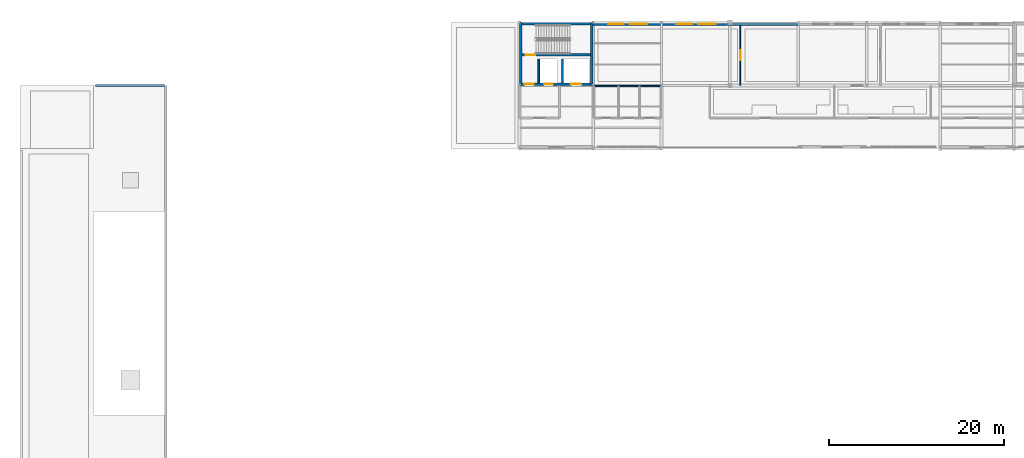
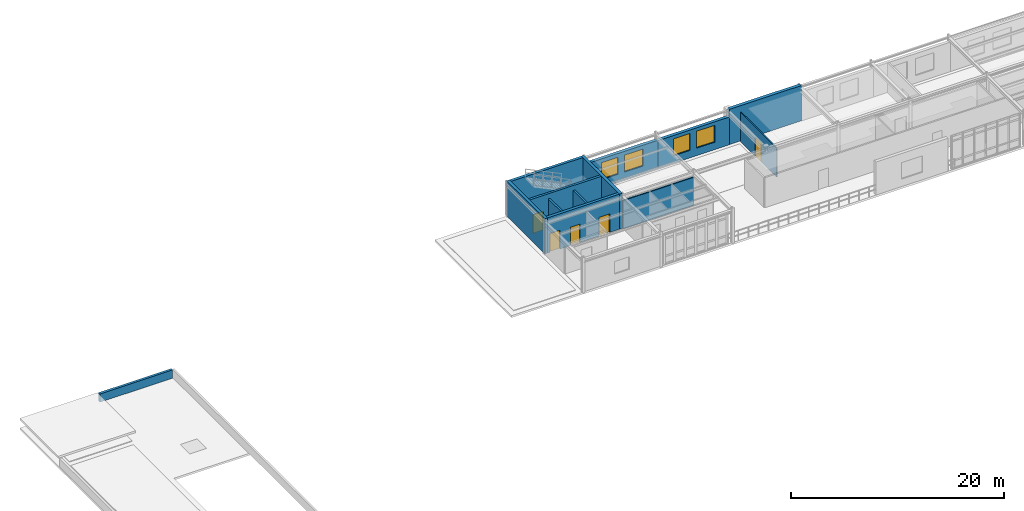
# One storey, part 14 of 20: 13 walls, 5 doors, 4 windows, 9 openings.
"""IFC4 building model written with IfcOpenShell, lengths in metres."""

from ifc_helpers import new_model, si_unit, derived_unit, direction, frame, frame_2d, origin, place, context, subcontext, project, spatial, rectangle, extrude, material, layer, layer_set, type_object, element, fill, save


model = new_model("IFC4")

# Units and contexts
model_context = context("Model", 3, precision=1e-05, world=origin(), true_north=direction((0.0, 1.0)))
body_context = subcontext(model_context, "Body", "Model", "MODEL_VIEW")
ifc_project = project(units=[si_unit("LENGTHUNIT", "METRE"), si_unit("AREAUNIT", "SQUARE_METRE"), si_unit("VOLUMEUNIT", "CUBIC_METRE"), si_unit("PLANEANGLEUNIT", "RADIAN"), si_unit("MASSUNIT", "GRAM", prefix="KILO"), derived_unit("THERMALTRANSMITTANCEUNIT", [(si_unit("POWERUNIT", "WATT"), 1), (si_unit("AREAUNIT", "SQUARE_METRE"), -1), (si_unit("THERMODYNAMICTEMPERATUREUNIT", "KELVIN"), -1)])], contexts=[model_context])

# Site, building, storey
site_placement = place(None, origin())
site = spatial("IfcSite", under=ifc_project, at=site_placement, CompositionType="ELEMENT")
building_placement = place(site_placement, origin())
building = spatial("IfcBuilding", under=site, at=building_placement, Name="Yasenodar Specialist Clinic", CompositionType="ELEMENT")
storey_placement = place(building_placement, frame((0.0, 0.0, 25.35009765625)))
storey = spatial("IfcBuildingStorey", under=building, at=storey_placement, Name="L06", CompositionType="ELEMENT", Elevation=25.35009765625)

# Wall, openings, windows
ifc_material_1 = material(Name="Buff Architectural Terracotta Rainscreen", Category="masonry")
ifc_layer_1 = layer(ifc_material_1, 0.340087890625)
ifc_layer_set_1 = layer_set([ifc_layer_1], Name="Buff Architectural Terracotta Rainscreen")
wall_type_1 = type_object("IfcWallType", Name="EW-TERR-340", PredefinedType="SOLIDWALL", material=ifc_layer_set_1)
wall_1_placement = place(storey_placement, frame((65.39990234375, 111.39990234375, 0.0), z_axis=(0.0, 0.0, 1.0), x_axis=(1.0, 0.0, 0.0)))
wall_1 = element("IfcWall", 1, at=wall_1_placement, inside=storey, type_object=wall_type_1, Name="L06 Exterior Facade Wall 0190", PredefinedType="SOLIDWALL", context=body_context, shape_type="SweptSolid", body=[
    extrude(rectangle(XDim=7.800048828125, YDim=0.340087890625, at=frame_2d((3.89990234375, 0.0))), origin(), (0.0, 0.0, 1.0), 3.23779296875),
])
opening_1_placement = place(wall_1_placement, frame((1.699951171875, 0.0, 0.85009765625)))
opening_1 = element("IfcOpeningElement", 2, at=opening_1_placement, cuts=wall_1, Name="Opening W-05", PredefinedType="OPENING", context=body_context, shape_type="SweptSolid", body=[
    extrude(rectangle(XDim=1.800048828125, YDim=1.949951171875, at=frame_2d((0.89990234375, 0.97509765625))), frame((0.0, 0.18017578125, 0.0), z_axis=(0.0, -1.0, 0.0), x_axis=(1.0, 0.0, 0.0)), (0.0, 0.0, 1.0), 0.360107421875),
])
opening_2_placement = place(wall_1_placement, frame((4.199951171875, 0.0, 0.85009765625)))
opening_2 = element("IfcOpeningElement", 3, at=opening_2_placement, cuts=wall_1, Name="Opening W-06", PredefinedType="OPENING", context=body_context, shape_type="SweptSolid", body=[
    extrude(rectangle(XDim=2.0, YDim=1.949951171875, at=frame_2d((1.0, 0.97509765625))), frame((0.0, 0.18017578125, 0.0), z_axis=(0.0, -1.0, 0.0), x_axis=(1.0, 0.0, 0.0)), (0.0, 0.0, 1.0), 0.360107421875),
])
ifc_material_2 = material(Name="Triple Low-E Argon Glazing in Bronze Aluminium Frame", Category="aluminium")
window_type_1 = type_object("IfcWindowType", Name="WIN-EXT-05", PartitioningType="SINGLE_PANEL", PredefinedType="WINDOW", material=ifc_material_2)
window_1_placement = place(opening_1_placement, origin())
window_1 = element("IfcWindow", 4, at=window_1_placement, inside=storey, type_object=window_type_1, Name="L06 Triple-Glazed Reveal Window 0226", OverallHeight=1.949951171875, OverallWidth=1.800048828125, PartitioningType="SINGLE_PANEL", PredefinedType="WINDOW", context=body_context, shape_type="SweptSolid", body=[
    extrude(rectangle(XDim=1.800048828125, YDim=1.949951171875, at=frame_2d((0.89990234375, 0.97509765625))), frame((0.0, 0.030029296875, 0.0), z_axis=(0.0, -1.0, 0.0), x_axis=(1.0, 0.0, 0.0)), (0.0, 0.0, 1.0), 0.06005859375),
])
fill(opening_1, window_1)
window_type_2 = type_object("IfcWindowType", Name="WIN-EXT-06", PartitioningType="SINGLE_PANEL", PredefinedType="WINDOW", material=ifc_material_2)
window_2_placement = place(opening_2_placement, origin())
window_2 = element("IfcWindow", 5, at=window_2_placement, inside=storey, type_object=window_type_2, Name="L06 Triple-Glazed Reveal Window 0227", OverallHeight=1.949951171875, OverallWidth=2.0, PartitioningType="SINGLE_PANEL", PredefinedType="WINDOW", context=body_context, shape_type="SweptSolid", body=[
    extrude(rectangle(XDim=2.0, YDim=1.949951171875, at=frame_2d((1.0, 0.97509765625))), frame((0.0, 0.030029296875, 0.0), z_axis=(0.0, -1.0, 0.0), x_axis=(1.0, 0.0, 0.0)), (0.0, 0.0, 1.0), 0.06005859375),
])
fill(opening_2, window_2)

wall_2_placement = place(storey_placement, frame((73.199951171875, 111.39990234375, 0.0), z_axis=(0.0, 0.0, 1.0), x_axis=(1.0, 0.0, 0.0)))
wall_2 = element("IfcWall", 6, at=wall_2_placement, inside=storey, type_object=wall_type_1, Name="L06 Exterior Facade Wall 0191", PredefinedType="SOLIDWALL", context=body_context, shape_type="SweptSolid", body=[
    extrude(rectangle(XDim=7.800048828125, YDim=0.340087890625, at=frame_2d((3.89990234375, 0.0))), origin(), (0.0, 0.0, 1.0), 3.18798828125),
])
opening_3_placement = place(wall_2_placement, frame((1.699951171875, 0.0, 0.85009765625)))
opening_3 = element("IfcOpeningElement", 7, at=opening_3_placement, cuts=wall_2, Name="Opening W-05", PredefinedType="OPENING", context=body_context, shape_type="SweptSolid", body=[
    extrude(rectangle(XDim=1.800048828125, YDim=1.949951171875, at=frame_2d((0.89990234375, 0.97509765625))), frame((0.0, 0.18017578125, 0.0), z_axis=(0.0, -1.0, 0.0), x_axis=(1.0, 0.0, 0.0)), (0.0, 0.0, 1.0), 0.360107421875),
])
opening_4_placement = place(wall_2_placement, frame((4.199951171875, 0.0, 0.85009765625)))
opening_4 = element("IfcOpeningElement", 8, at=opening_4_placement, cuts=wall_2, Name="Opening W-06", PredefinedType="OPENING", context=body_context, shape_type="SweptSolid", body=[
    extrude(rectangle(XDim=2.0, YDim=1.949951171875, at=frame_2d((1.0, 0.97509765625))), frame((0.0, 0.18017578125, 0.0), z_axis=(0.0, -1.0, 0.0), x_axis=(1.0, 0.0, 0.0)), (0.0, 0.0, 1.0), 0.360107421875),
])
window_3_placement = place(opening_3_placement, origin())
window_3 = element("IfcWindow", 9, at=window_3_placement, inside=storey, type_object=window_type_1, Name="L06 Triple-Glazed Reveal Window 0228", OverallHeight=1.949951171875, OverallWidth=1.800048828125, PartitioningType="SINGLE_PANEL", PredefinedType="WINDOW", context=body_context, shape_type="SweptSolid", body=[
    extrude(rectangle(XDim=1.800048828125, YDim=1.949951171875, at=frame_2d((0.89990234375, 0.97509765625))), frame((0.0, 0.030029296875, 0.0), z_axis=(0.0, -1.0, 0.0), x_axis=(1.0, 0.0, 0.0)), (0.0, 0.0, 1.0), 0.06005859375),
])
fill(opening_3, window_3)
window_4_placement = place(opening_4_placement, origin())
window_4 = element("IfcWindow", 10, at=window_4_placement, inside=storey, type_object=window_type_2, Name="L06 Triple-Glazed Reveal Window 0229", OverallHeight=1.949951171875, OverallWidth=2.0, PartitioningType="SINGLE_PANEL", PredefinedType="WINDOW", context=body_context, shape_type="SweptSolid", body=[
    extrude(rectangle(XDim=2.0, YDim=1.949951171875, at=frame_2d((1.0, 0.97509765625))), frame((0.0, 0.030029296875, 0.0), z_axis=(0.0, -1.0, 0.0), x_axis=(1.0, 0.0, 0.0)), (0.0, 0.0, 1.0), 0.06005859375),
])
fill(opening_4, window_4)

# Wall, opening, door
ifc_material_3 = material(Name="Lightweight Counseling Partition")
ifc_layer_2 = layer(ifc_material_3, 0.114990234375)
ifc_layer_set_2 = layer_set([ifc_layer_2], Name="Lightweight Counseling Partition")
wall_type_2 = type_object("IfcWallType", Name="IW-PART-115", PredefinedType="PARTITIONING", material=ifc_layer_set_2)
wall_3_placement = place(storey_placement, frame((82.199951171875, 111.199951171875, 0.0), z_axis=(0.0, 0.0, 1.0), x_axis=(0.0, -1.0, 0.0)))
wall_3 = element("IfcWall", 11, at=wall_3_placement, inside=storey, type_object=wall_type_2, Name="L06 Translational Oncology Research Lab Partition", PredefinedType="PARTITIONING", context=body_context, shape_type="SweptSolid", body=[
    extrude(rectangle(XDim=6.7900390625, YDim=0.114990234375, at=frame_2d((3.39501953125, 0.0))), origin(), (0.0, 0.0, 1.0), 3.347900390625),
])
opening_5_placement = place(wall_3_placement, frame((2.800048828125, 0.0, 0.0)))
opening_5 = element("IfcOpeningElement", 12, at=opening_5_placement, cuts=wall_3, Name="Opening D-05", PredefinedType="OPENING", context=body_context, shape_type="SweptSolid", body=[
    extrude(rectangle(XDim=1.1201171875, YDim=2.179931640625, at=frame_2d((0.56005859375, 1.08984375))), frame((0.0, 0.0673828125, 0.0), z_axis=(0.0, -1.0, 0.0), x_axis=(1.0, 0.0, 0.0)), (0.0, 0.0, 1.0), 0.135009765625),
])
ifc_material_4 = material(Name="Powder-Coated Steel and Acoustic Laminate Leaf", Category="steel")
door_type_1 = type_object("IfcDoorType", Name="DR-CLN-112", OperationType="NOTDEFINED", PredefinedType="DOOR", material=ifc_material_4)
door_1_placement = place(opening_5_placement, origin())
door_1 = element("IfcDoor", 13, at=door_1_placement, inside=storey, type_object=door_type_1, Name="L06 Translational Oncology Research Lab Door", OperationType="SINGLE_SWING_LEFT", OverallHeight=2.179931640625, OverallWidth=1.1201171875, PredefinedType="DOOR", context=body_context, shape_type="SweptSolid", body=[
    extrude(rectangle(XDim=1.1201171875, YDim=2.179931640625, at=frame_2d((0.56005859375, 1.08984375))), frame((0.0, 0.02490234375, 0.0), z_axis=(0.0, -1.0, 0.0), x_axis=(1.0, 0.0, 0.0)), (0.0, 0.0, 1.0), 0.050048828125),
])
fill(opening_5, door_1)

# Walls
ifc_material_5 = material(Name="Aerated Concrete Blockwork Fire Shaft Wall", Category="masonry")
ifc_layer_3 = layer(ifc_material_5, 0.205078125)
ifc_layer_set_3 = layer_set([ifc_layer_3], Name="Aerated Concrete Blockwork Fire Shaft Wall")
wall_type_3 = type_object("IfcWallType", Name="IW-SHAFT-205", PredefinedType="PARTITIONING", material=ifc_layer_set_3)
for number, where, z_axis, x_axis, name in (
    (14, (59.199951171875, 104.699951171875, 0.0), (0.0, 0.0, 1.0), (0.0, 1.0, 0.0), "L06 LF-02 Lift Shaft Side Wall"),
    (15, (61.89990234375, 104.699951171875, 0.0), (0.0, 0.0, 1.0), (0.0, 1.0, 0.0), "L06 LF-04 Lift Shaft Side Wall"),
):
    element("IfcWall", number, at=place(storey_placement, frame(where, z_axis=z_axis, x_axis=x_axis)), inside=storey, type_object=wall_type_3, Name=name, PredefinedType="PARTITIONING", context=body_context, shape_type="SweptSolid", body=[
        extrude(rectangle(XDim=2.699951171875, YDim=0.205078125, at=frame_2d((1.35009765625, 0.0))), origin(), (0.0, 0.0, 1.0), 3.77978515625),
    ])
ifc_material_6 = material(Name="Moisture-Resistant Sanitary Partition")
ifc_layer_4 = layer(ifc_material_6, 0.139892578125)
ifc_layer_set_4 = layer_set([ifc_layer_4], Name="Moisture-Resistant Sanitary Partition")
wall_type_4 = type_object("IfcWallType", Name="IW-WET-140", PredefinedType="PARTITIONING", material=ifc_layer_set_4)
wall_4_placement = place(storey_placement, frame((65.39990234375, 104.35009765625, 0.0), z_axis=(0.0, 0.0, 1.0), x_axis=(1.0, 0.0, 0.0)))
element("IfcWall", 16, at=wall_4_placement, inside=storey, type_object=wall_type_4, Name="L06 North Sanitary Block North Wall", PredefinedType="PARTITIONING", context=body_context, shape_type="SweptSolid", body=[
    extrude(rectangle(XDim=7.7001953125, YDim=0.139892578125, at=frame_2d((3.85009765625, 0.0))), origin(), (0.0, 0.0, 1.0), 3.23779296875),
])

# Wall, opening, door
ifc_material_7 = material(Name="Concrete C35/45", Category="concrete")
ifc_layer_5 = layer(ifc_material_7, 0.25)
ifc_layer_set_5 = layer_set([ifc_layer_5], Name="Concrete C35/45")
wall_type_5 = type_object("IfcWallType", Name="WL-CORE-250", PredefinedType="SHEAR", material=ifc_layer_set_5)
wall_5_placement = place(storey_placement, frame((57.300048828125, 107.89990234375, 0.0), z_axis=(0.0, 0.0, 1.0), x_axis=(1.0, 0.0, 0.0)))
wall_5 = element("IfcWall", 17, at=wall_5_placement, inside=storey, type_object=wall_type_5, Name="L06 Core C4 Central Spine Wall", PredefinedType="SHEAR", context=body_context, shape_type="SweptSolid", body=[
    extrude(rectangle(XDim=7.800048828125, YDim=0.25, at=frame_2d((3.89990234375, 0.0))), origin(), (0.0, 0.0, 1.0), 4.0498046875),
])
opening_6_placement = place(wall_5_placement, frame((0.39990234375, 0.0, 0.0)))
opening_6 = element("IfcOpeningElement", 18, at=opening_6_placement, cuts=wall_5, Name="Opening FD-01", PredefinedType="OPENING", context=body_context, shape_type="SweptSolid", body=[
    extrude(rectangle(XDim=1.10009765625, YDim=2.14990234375, at=frame_2d((0.550048828125, 1.074951171875))), frame((0.0, 0.135009765625, 0.0), z_axis=(0.0, -1.0, 0.0), x_axis=(1.0, 0.0, 0.0)), (0.0, 0.0, 1.0), 0.27001953125),
])
ifc_material_8 = material(Name="Fire-Rated Insulated Steel Door", Category="steel")
door_type_2 = type_object("IfcDoorType", Name="DR-FD-110", OperationType="NOTDEFINED", PredefinedType="DOOR", material=ifc_material_8)
door_2_placement = place(opening_6_placement, origin())
door_2 = element("IfcDoor", 19, at=door_2_placement, inside=storey, type_object=door_type_2, Name="L06 ST-04 Protected Stair Door", OperationType="SINGLE_SWING_LEFT", OverallHeight=2.14990234375, OverallWidth=1.10009765625, PredefinedType="DOOR", context=body_context, shape_type="SweptSolid", body=[
    extrude(rectangle(XDim=1.10009765625, YDim=2.14990234375, at=frame_2d((0.550048828125, 1.074951171875))), frame((0.0, 0.02490234375, 0.0), z_axis=(0.0, -1.0, 0.0), x_axis=(1.0, 0.0, 0.0)), (0.0, 0.0, 1.0), 0.050048828125),
])
fill(opening_6, door_2)

# Wall
ifc_layer_6 = layer(ifc_material_7, 0.300048828125)
ifc_layer_set_6 = layer_set([ifc_layer_6], Name="Concrete C35/45")
wall_type_6 = type_object("IfcWallType", Name="WL-CORE-300", PredefinedType="SHEAR", material=ifc_layer_set_6)
wall_6_placement = place(storey_placement, frame((57.0, 111.449951171875, 0.0), z_axis=(0.0, 0.0, 1.0), x_axis=(1.0, 0.0, 0.0)))
element("IfcWall", 20, at=wall_6_placement, inside=storey, type_object=wall_type_6, Name="L06 Core C4 North Shear Wall", PredefinedType="SHEAR", context=body_context, shape_type="SweptSolid", body=[
    extrude(rectangle(XDim=8.39990234375, YDim=0.300048828125, at=frame_2d((4.199951171875, 0.0))), origin(), (0.0, 0.0, 1.0), 4.0498046875),
])

# Wall, openings, doors
wall_7_placement = place(storey_placement, frame((57.0, 104.550048828125, 0.0), z_axis=(0.0, 0.0, 1.0), x_axis=(1.0, 0.0, 0.0)))
wall_7 = element("IfcWall", 21, at=wall_7_placement, inside=storey, type_object=wall_type_6, Name="L06 Core C4 South Shear Wall", PredefinedType="SHEAR", context=body_context, shape_type="SweptSolid", body=[
    extrude(rectangle(XDim=8.39990234375, YDim=0.300048828125, at=frame_2d((4.199951171875, 0.0))), origin(), (0.0, 0.0, 1.0), 4.0498046875),
])
opening_7_placement = place(wall_7_placement, frame((0.550048828125, 0.0, 0.0)))
opening_7 = element("IfcOpeningElement", 22, at=opening_7_placement, cuts=wall_7, Name="Opening FD-01", PredefinedType="OPENING", context=body_context, shape_type="SweptSolid", body=[
    extrude(rectangle(XDim=1.10009765625, YDim=2.14990234375, at=frame_2d((0.550048828125, 1.074951171875))), frame((0.0, 0.16015625, 0.0), z_axis=(0.0, -1.0, 0.0), x_axis=(1.0, 0.0, 0.0)), (0.0, 0.0, 1.0), 0.320068359375),
])
opening_8_placement = place(wall_7_placement, frame((2.800048828125, 0.0, 0.0)))
opening_8 = element("IfcOpeningElement", 23, at=opening_8_placement, cuts=wall_7, Name="Opening LD-01", PredefinedType="OPENING", context=body_context, shape_type="SweptSolid", body=[
    extrude(rectangle(XDim=1.0, YDim=2.10009765625, at=frame_2d((0.5, 1.050048828125))), frame((0.0, 0.16015625, 0.0), z_axis=(0.0, -1.0, 0.0), x_axis=(1.0, 0.0, 0.0)), (0.0, 0.0, 1.0), 0.320068359375),
])
opening_9_placement = place(wall_7_placement, frame((5.85009765625, 0.0, 0.0)))
opening_9 = element("IfcOpeningElement", 24, at=opening_9_placement, cuts=wall_7, Name="Opening LD-02", PredefinedType="OPENING", context=body_context, shape_type="SweptSolid", body=[
    extrude(rectangle(XDim=1.199951171875, YDim=2.14990234375, at=frame_2d((0.60009765625, 1.074951171875))), frame((0.0, 0.16015625, 0.0), z_axis=(0.0, -1.0, 0.0), x_axis=(1.0, 0.0, 0.0)), (0.0, 0.0, 1.0), 0.320068359375),
])
door_3_placement = place(opening_7_placement, origin())
door_3 = element("IfcDoor", 25, at=door_3_placement, inside=storey, type_object=door_type_2, Name="L06 Stair ST-04 Vestibule Door", OperationType="SINGLE_SWING_RIGHT", OverallHeight=2.14990234375, OverallWidth=1.10009765625, PredefinedType="DOOR", context=body_context, shape_type="SweptSolid", body=[
    extrude(rectangle(XDim=1.10009765625, YDim=2.14990234375, at=frame_2d((0.550048828125, 1.074951171875))), frame((0.0, 0.02490234375, 0.0), z_axis=(0.0, -1.0, 0.0), x_axis=(1.0, 0.0, 0.0)), (0.0, 0.0, 1.0), 0.050048828125),
])
fill(opening_7, door_3)
door_type_3 = type_object("IfcDoorType", Name="DR-LD-100", OperationType="DOUBLE_DOOR_SLIDING", PredefinedType="DOOR", material=ifc_material_8)
door_4_placement = place(opening_8_placement, origin())
door_4 = element("IfcDoor", 26, at=door_4_placement, inside=storey, type_object=door_type_3, Name="L06 LF-02 Lift Landing Door", OperationType="DOUBLE_DOOR_SLIDING", OverallHeight=2.10009765625, OverallWidth=1.0, PredefinedType="DOOR", context=body_context, shape_type="SweptSolid", body=[
    extrude(rectangle(XDim=1.0, YDim=2.10009765625, at=frame_2d((0.5, 1.050048828125))), frame((0.0, 0.02490234375, 0.0), z_axis=(0.0, -1.0, 0.0), x_axis=(1.0, 0.0, 0.0)), (0.0, 0.0, 1.0), 0.050048828125),
])
fill(opening_8, door_4)
door_type_4 = type_object("IfcDoorType", Name="DR-LD-120", OperationType="DOUBLE_DOOR_SLIDING", PredefinedType="DOOR", material=ifc_material_8)
door_5_placement = place(opening_9_placement, origin())
door_5 = element("IfcDoor", 27, at=door_5_placement, inside=storey, type_object=door_type_4, Name="L06 LF-04 Lift Landing Door", OperationType="DOUBLE_DOOR_SLIDING", OverallHeight=2.14990234375, OverallWidth=1.199951171875, PredefinedType="DOOR", context=body_context, shape_type="SweptSolid", body=[
    extrude(rectangle(XDim=1.199951171875, YDim=2.14990234375, at=frame_2d((0.60009765625, 1.074951171875))), frame((0.0, 0.02490234375, 0.0), z_axis=(0.0, -1.0, 0.0), x_axis=(1.0, 0.0, 0.0)), (0.0, 0.0, 1.0), 0.050048828125),
])
fill(opening_9, door_5)

# Walls
for number, where, z_axis, x_axis, name in (
    (28, (57.14990234375, 104.39990234375, 0.0), (0.0, 0.0, 1.0), (0.0, 1.0, 0.0), "L06 Core C4 West Shear Wall"),
    (29, (65.25, 104.39990234375, 0.0), (0.0, 0.0, 1.0), (0.0, 1.0, 0.0), "L06 Core C4 East Shear Wall"),
):
    element("IfcWall", number, at=place(storey_placement, frame(where, z_axis=z_axis, x_axis=x_axis)), inside=storey, type_object=wall_type_6, Name=name, PredefinedType="SHEAR", context=body_context, shape_type="SweptSolid", body=[
        extrude(rectangle(XDim=7.2001953125, YDim=0.300048828125, at=frame_2d((3.60009765625, 0.0))), origin(), (0.0, 0.0, 1.0), 4.0498046875),
    ])
ifc_material_9 = material(Name="Kapustianske Red Granite Coped Parapet", Category="masonry")
ifc_layer_7 = layer(ifc_material_9, 0.264892578125)
ifc_layer_set_7 = layer_set([ifc_layer_7], Name="Kapustianske Red Granite Coped Parapet")
wall_type_7 = type_object("IfcWallType", Name="WL-PAR-265", PredefinedType="PARAPET", material=ifc_layer_set_7)
wall_8_placement = place(storey_placement, frame((8.60009765625, 104.39990234375, 0.0), z_axis=(0.0, 0.0, 1.0), x_axis=(1.0, 0.0, 0.0)))
element("IfcWall", 30, at=wall_8_placement, inside=storey, type_object=wall_type_7, Name="L06 Stone-Coped Roof Parapet 02", PredefinedType="PARAPET", context=body_context, shape_type="SweptSolid", body=[
    extrude(rectangle(XDim=7.89990234375, YDim=0.264892578125, at=frame_2d((3.949951171875, 0.0))), origin(), (0.0, 0.0, 1.0), 0.949951171875),
])
ifc_layer_8 = layer(ifc_material_7, 0.35009765625)
ifc_layer_set_8 = layer_set([ifc_layer_8], Name="Concrete C35/45")
wall_type_8 = type_object("IfcWallType", Name="WL-PARTY-350", PredefinedType="SHEAR", material=ifc_layer_set_8)
wall_9_placement = place(storey_placement, frame((81.0, 111.425048828125, 0.0), z_axis=(0.0, 0.0, 1.0), x_axis=(1.0, 0.0, 0.0)))
element("IfcWall", 31, at=wall_9_placement, inside=storey, type_object=wall_type_8, Name="L06 Northern Party Wall Segment 1", PredefinedType="SHEAR", context=body_context, shape_type="SweptSolid", body=[
    extrude(rectangle(XDim=7.800048828125, YDim=0.35009765625, at=frame_2d((3.89990234375, 0.0))), origin(), (0.0, 0.0, 1.0), 4.0498046875),
])

save(model, "model.ifc")
